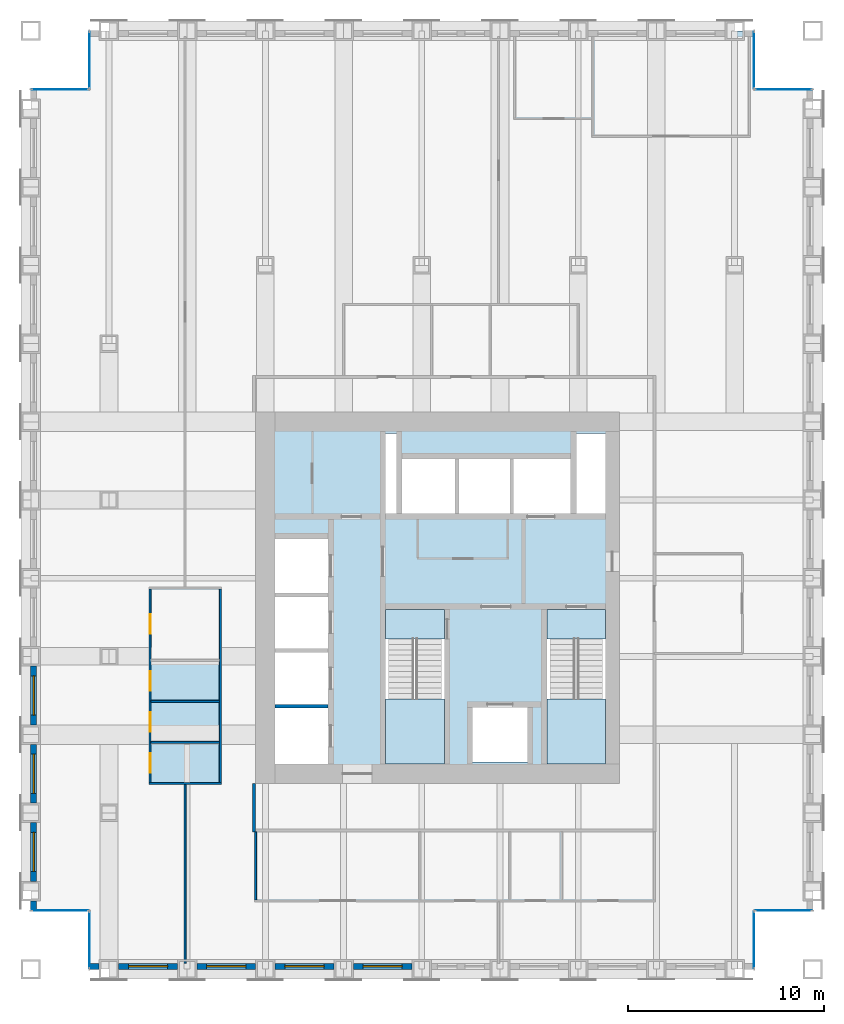
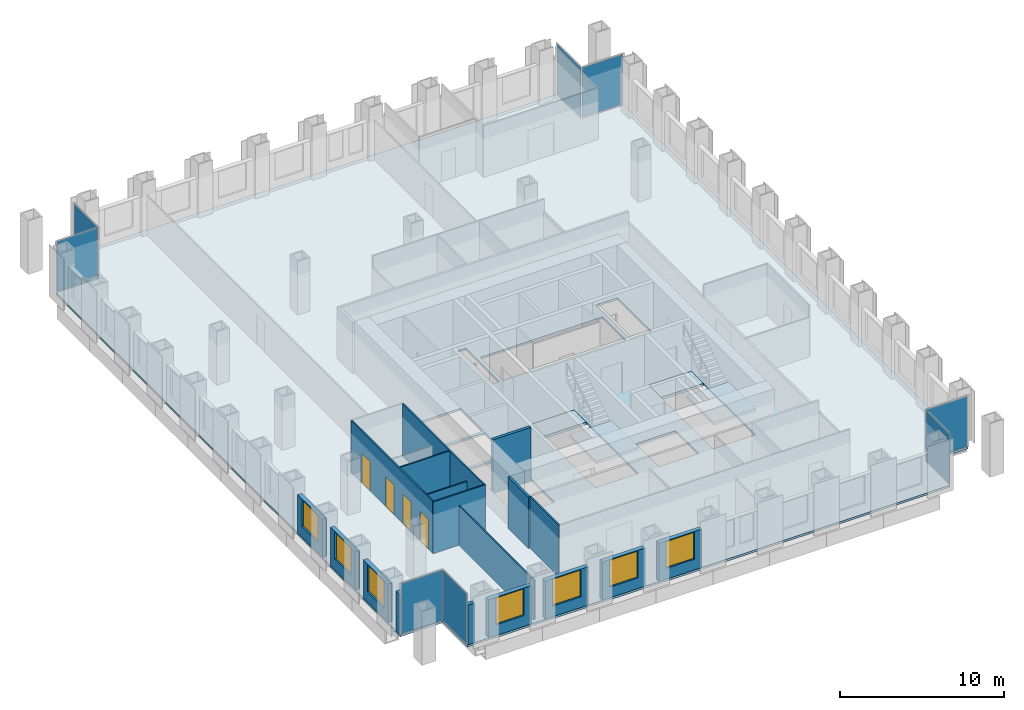
# One storey, part 8 of 13: 18 walls, 8 plates, 7 windows, 5 slabs, 4 doors, 11 openings, 10 elements without a shape of their own.
"""IFC4 building model written with IfcOpenShell, lengths in metres."""

from ifc_helpers import new_model, si_unit, direction, frame, frame_2d, origin, origin_2d, place, context, subcontext, project, spatial, polyline, rectangle, outline, extrude, material, layer, layer_set, type_object, element, fill, aggregate, save


model = new_model("IFC4")

# Units and contexts
model_context = context("Model", 3, precision=1e-05, world=origin(), true_north=direction((0.0, 1.0)))
body_context = subcontext(model_context, "Body", "Model", "MODEL_VIEW")
ifc_project = project(units=[si_unit("LENGTHUNIT", "METRE"), si_unit("AREAUNIT", "SQUARE_METRE"), si_unit("VOLUMEUNIT", "CUBIC_METRE"), si_unit("PLANEANGLEUNIT", "RADIAN"), si_unit("MASSUNIT", "GRAM", prefix="KILO")], contexts=[model_context])

# Site, building, storey
site_placement = place(None, origin())
site = spatial("IfcSite", under=ifc_project, at=site_placement, CompositionType="ELEMENT")
building_placement = place(site_placement, origin())
building = spatial("IfcBuilding", under=site, at=building_placement, Name="Rimbunsela Tower", CompositionType="ELEMENT")
storey_placement = place(building_placement, frame((0.0, 0.0, 187.800048828125)))
storey = spatial("IfcBuildingStorey", under=building, at=storey_placement, Name="L45", CompositionType="ELEMENT", Elevation=187.800048828125)

# Slab
ifc_material_1 = material(Name="Concrete fc' 35 MPa", Category="concrete")
ifc_layer_1 = layer(ifc_material_1, 0.14990234375)
ifc_layer_set_1 = layer_set([ifc_layer_1], Name="Floor slab 150")
slab_type_1 = type_object("IfcSlabType", Name="Floor slab 150", PredefinedType="FLOOR", material=ifc_layer_set_1)
slab_1_placement = place(storey_placement, frame((0.0, 0.0, -0.150146484375)))
element("IfcSlab", 1, at=slab_1_placement, inside=storey, type_object=slab_type_1, Name="Floor slab L45", PredefinedType="FLOOR", context=body_context, shape_type="SweptSolid", body=[
    extrude(outline(polyline([(9.0, 8.0), (43.0, 8.0), (43.0, 11.0), (46.0, 11.0), (46.0, 53.0), (43.0, 53.0), (43.0, 56.0), (9.0, 56.0), (9.0, 53.0), (6.0, 53.0), (6.0, 11.0), (9.0, 11.0), (9.0, 8.0)]), holes=[polyline([(21.199951171875, 21.35009765625), (18.5, 21.35009765625), (18.5, 18.5), (21.199951171875, 18.5), (21.199951171875, 21.35009765625)]), polyline([(21.199951171875, 21.550048828125), (21.199951171875, 24.199951171875), (18.5, 24.199951171875), (18.5, 21.550048828125), (21.199951171875, 21.550048828125)]), polyline([(21.199951171875, 27.050048828125), (18.5, 27.050048828125), (18.5, 24.39990234375), (21.199951171875, 24.39990234375), (21.199951171875, 27.050048828125)]), polyline([(21.199951171875, 27.25), (21.199951171875, 30.0), (18.5, 30.0), (18.5, 27.25), (21.199951171875, 27.25)]), polyline([(27.14990234375, 18.60009765625), (27.14990234375, 26.39990234375), (24.14990234375, 26.39990234375), (24.14990234375, 18.60009765625), (27.14990234375, 18.60009765625)]), polyline([(24.699951171875, 31.300048828125), (24.699951171875, 35.39990234375), (24.14990234375, 35.39990234375), (24.14990234375, 31.300048828125), (24.699951171875, 31.300048828125)]), polyline([(25.0, 34.10009765625), (25.0, 31.300048828125), (33.60009765625, 31.300048828125), (33.60009765625, 34.10009765625), (25.0, 34.10009765625)]), polyline([(31.39990234375, 21.39990234375), (28.60009765625, 21.39990234375), (28.60009765625, 18.60009765625), (31.39990234375, 18.60009765625), (31.39990234375, 21.39990234375)]), polyline([(35.39990234375, 18.60009765625), (35.39990234375, 26.39990234375), (32.39990234375, 26.39990234375), (32.39990234375, 18.60009765625), (35.39990234375, 18.60009765625)]), polyline([(35.39990234375, 31.300048828125), (35.39990234375, 35.39990234375), (33.89990234375, 35.39990234375), (33.89990234375, 31.300048828125), (35.39990234375, 31.300048828125)])]), origin(), (0.0, 0.0, 1.0), 0.150146484375),
])

# Curtain wall, plate
ifc_material_2 = material(Name="Aluminium curtain wall", Category="aluminium")
curtain_wall_type = type_object("IfcCurtainWallType", Name="Corner glazing", PredefinedType="USERDEFINED", material=ifc_material_2)
curtain_wall_1_placement = place(storey_placement, origin())
curtain_wall_1 = element("IfcCurtainWall", 2, at=curtain_wall_1_placement, inside=storey, type_object=curtain_wall_type, Name="Corner glazing L45", ObjectType="CORNER GLAZING", PredefinedType="USERDEFINED")
ifc_material_3 = material(Name="Clear double glazing", Category="glass")
ifc_layer_2 = layer(ifc_material_3, 0.028076171875)
ifc_layer_set_2 = layer_set([ifc_layer_2], Name="Glazed panel clear")
plate_type = type_object("IfcPlateType", Name="Glazed panel clear", PredefinedType="CURTAIN_PANEL", material=ifc_layer_set_2)
plate_1_placement = place(storey_placement, frame((43.0, 9.5, 0.06005859375), z_axis=(0.0, 0.0, 1.0), x_axis=(0.0, 1.0, 0.0)))
plate_1 = element("IfcPlate", 3, at=plate_1_placement, type_object=plate_type, Name="CW5 panel 1.1", PredefinedType="CURTAIN_PANEL", context=body_context, shape_type="SweptSolid", body=[
    extrude(rectangle(XDim=2.8798828125, YDim=0.028076171875, at=origin_2d()), origin(), (0.0, 0.0, 1.0), 3.72998046875),
])
aggregate(curtain_wall_1, [plate_1])

curtain_wall_2_placement = place(storey_placement, origin())
curtain_wall_2 = element("IfcCurtainWall", 4, at=curtain_wall_2_placement, inside=storey, type_object=curtain_wall_type, Name="Corner glazing L45", ObjectType="CORNER GLAZING", PredefinedType="USERDEFINED")
plate_2_placement = place(storey_placement, frame((44.5, 11.0, 0.06005859375), z_axis=(0.0, 0.0, 1.0), x_axis=(1.0, 0.0, 0.0)))
plate_2 = element("IfcPlate", 5, at=plate_2_placement, type_object=plate_type, Name="CW5 panel 1.1", PredefinedType="CURTAIN_PANEL", context=body_context, shape_type="SweptSolid", body=[
    extrude(rectangle(XDim=2.8798828125, YDim=0.028076171875, at=origin_2d()), origin(), (0.0, 0.0, 1.0), 3.72998046875),
])
aggregate(curtain_wall_2, [plate_2])

curtain_wall_3_placement = place(storey_placement, origin())
curtain_wall_3 = element("IfcCurtainWall", 6, at=curtain_wall_3_placement, inside=storey, type_object=curtain_wall_type, Name="Corner glazing L45", ObjectType="CORNER GLAZING", PredefinedType="USERDEFINED")
plate_3_placement = place(storey_placement, frame((44.5, 53.0, 0.06005859375), z_axis=(0.0, 0.0, 1.0), x_axis=(-1.0, 0.0, 0.0)))
plate_3 = element("IfcPlate", 7, at=plate_3_placement, type_object=plate_type, Name="CW5 panel 1.1", PredefinedType="CURTAIN_PANEL", context=body_context, shape_type="SweptSolid", body=[
    extrude(rectangle(XDim=2.8798828125, YDim=0.028076171875, at=origin_2d()), origin(), (0.0, 0.0, 1.0), 3.72998046875),
])
aggregate(curtain_wall_3, [plate_3])

curtain_wall_4_placement = place(storey_placement, origin())
curtain_wall_4 = element("IfcCurtainWall", 8, at=curtain_wall_4_placement, inside=storey, type_object=curtain_wall_type, Name="Corner glazing L45", ObjectType="CORNER GLAZING", PredefinedType="USERDEFINED")
plate_4_placement = place(storey_placement, frame((43.0, 54.5, 0.06005859375), z_axis=(0.0, 0.0, 1.0), x_axis=(0.0, 1.0, 0.0)))
plate_4 = element("IfcPlate", 9, at=plate_4_placement, type_object=plate_type, Name="CW5 panel 1.1", PredefinedType="CURTAIN_PANEL", context=body_context, shape_type="SweptSolid", body=[
    extrude(rectangle(XDim=2.8798828125, YDim=0.028076171875, at=origin_2d()), origin(), (0.0, 0.0, 1.0), 3.72998046875),
])
aggregate(curtain_wall_4, [plate_4])

curtain_wall_5_placement = place(storey_placement, origin())
curtain_wall_5 = element("IfcCurtainWall", 10, at=curtain_wall_5_placement, inside=storey, type_object=curtain_wall_type, Name="Corner glazing L45", ObjectType="CORNER GLAZING", PredefinedType="USERDEFINED")
plate_5_placement = place(storey_placement, frame((9.0, 54.5, 0.06005859375), z_axis=(0.0, 0.0, 1.0), x_axis=(0.0, -1.0, 0.0)))
plate_5 = element("IfcPlate", 11, at=plate_5_placement, type_object=plate_type, Name="CW5 panel 1.1", PredefinedType="CURTAIN_PANEL", context=body_context, shape_type="SweptSolid", body=[
    extrude(rectangle(XDim=2.8798828125, YDim=0.028076171875, at=origin_2d()), origin(), (0.0, 0.0, 1.0), 3.72998046875),
])
aggregate(curtain_wall_5, [plate_5])

curtain_wall_6_placement = place(storey_placement, origin())
curtain_wall_6 = element("IfcCurtainWall", 12, at=curtain_wall_6_placement, inside=storey, type_object=curtain_wall_type, Name="Corner glazing L45", ObjectType="CORNER GLAZING", PredefinedType="USERDEFINED")
plate_6_placement = place(storey_placement, frame((7.5, 53.0, 0.06005859375), z_axis=(0.0, 0.0, 1.0), x_axis=(-1.0, 0.0, 0.0)))
plate_6 = element("IfcPlate", 13, at=plate_6_placement, type_object=plate_type, Name="CW5 panel 1.1", PredefinedType="CURTAIN_PANEL", context=body_context, shape_type="SweptSolid", body=[
    extrude(rectangle(XDim=2.8798828125, YDim=0.028076171875, at=origin_2d()), origin(), (0.0, 0.0, 1.0), 3.72998046875),
])
aggregate(curtain_wall_6, [plate_6])

curtain_wall_7_placement = place(storey_placement, origin())
curtain_wall_7 = element("IfcCurtainWall", 14, at=curtain_wall_7_placement, inside=storey, type_object=curtain_wall_type, Name="Corner glazing L45", ObjectType="CORNER GLAZING", PredefinedType="USERDEFINED")
plate_7_placement = place(storey_placement, frame((7.5, 11.0, 0.06005859375), z_axis=(0.0, 0.0, 1.0), x_axis=(1.0, 0.0, 0.0)))
plate_7 = element("IfcPlate", 15, at=plate_7_placement, type_object=plate_type, Name="CW5 panel 1.1", PredefinedType="CURTAIN_PANEL", context=body_context, shape_type="SweptSolid", body=[
    extrude(rectangle(XDim=2.8798828125, YDim=0.028076171875, at=origin_2d()), origin(), (0.0, 0.0, 1.0), 3.72998046875),
])
aggregate(curtain_wall_7, [plate_7])

curtain_wall_8_placement = place(storey_placement, origin())
curtain_wall_8 = element("IfcCurtainWall", 16, at=curtain_wall_8_placement, inside=storey, type_object=curtain_wall_type, Name="Corner glazing L45", ObjectType="CORNER GLAZING", PredefinedType="USERDEFINED")
plate_8_placement = place(storey_placement, frame((9.0, 9.5, 0.06005859375), z_axis=(0.0, 0.0, 1.0), x_axis=(0.0, -1.0, 0.0)))
plate_8 = element("IfcPlate", 17, at=plate_8_placement, type_object=plate_type, Name="CW5 panel 1.1", PredefinedType="CURTAIN_PANEL", context=body_context, shape_type="SweptSolid", body=[
    extrude(rectangle(XDim=2.8798828125, YDim=0.028076171875, at=origin_2d()), origin(), (0.0, 0.0, 1.0), 3.72998046875),
])
aggregate(curtain_wall_8, [plate_8])

# Stair, slabs
ifc_material_4 = material(Name="Concrete fc' 35 MPa", Category="concrete")
stair_type = type_object("IfcStairType", Name="Exit stair 24 risers", PredefinedType="HALF_TURN_STAIR", material=ifc_material_4)
stair_1_placement = place(storey_placement, origin())
stair_1 = element("IfcStair", 18, at=stair_1_placement, inside=storey, type_object=stair_type, Name="Exit stair A L45", PredefinedType="HALF_TURN_STAIR")
ifc_material_5 = material(Name="Concrete fc' 35 MPa", Category="concrete")
ifc_layer_3 = layer(ifc_material_5, 0.199951171875)
ifc_layer_set_3 = layer_set([ifc_layer_3], Name="Stair landing 200")
slab_type_2 = type_object("IfcSlabType", Name="Stair landing 200", PredefinedType="LANDING", material=ifc_layer_set_3)
slab_2_placement = place(storey_placement, frame((0.0, 0.0, -0.199951171875)))
slab_2 = element("IfcSlab", 19, at=slab_2_placement, type_object=slab_type_2, Name="ST-A landing 1", PredefinedType="LANDING", context=body_context, shape_type="SweptSolid", body=[
    extrude(outline(polyline([(24.14990234375, 24.89990234375), (27.14990234375, 24.89990234375), (27.14990234375, 26.39990234375), (24.14990234375, 26.39990234375), (24.14990234375, 24.89990234375)])), origin(), (0.0, 0.0, 1.0), 0.199951171875),
])
slab_3_placement = place(storey_placement, frame((0.0, 0.0, 1.800048828125)))
slab_3 = element("IfcSlab", 20, at=slab_3_placement, type_object=slab_type_2, Name="ST-A landing 2", PredefinedType="LANDING", context=body_context, shape_type="SweptSolid", body=[
    extrude(outline(polyline([(24.14990234375, 18.5), (27.14990234375, 18.5), (27.14990234375, 21.820068359375), (24.14990234375, 21.820068359375), (24.14990234375, 18.5)])), origin(), (0.0, 0.0, 1.0), 0.199951171875),
])
aggregate(stair_1, [slab_2, slab_3])

stair_2_placement = place(storey_placement, origin())
stair_2 = element("IfcStair", 21, at=stair_2_placement, inside=storey, type_object=stair_type, Name="Exit stair B L45", PredefinedType="HALF_TURN_STAIR")
slab_4_placement = place(storey_placement, frame((0.0, 0.0, -0.199951171875)))
slab_4 = element("IfcSlab", 22, at=slab_4_placement, type_object=slab_type_2, Name="ST-B landing 1", PredefinedType="LANDING", context=body_context, shape_type="SweptSolid", body=[
    extrude(outline(polyline([(32.39990234375, 24.89990234375), (35.39990234375, 24.89990234375), (35.39990234375, 26.39990234375), (32.39990234375, 26.39990234375), (32.39990234375, 24.89990234375)])), origin(), (0.0, 0.0, 1.0), 0.199951171875),
])
slab_5_placement = place(storey_placement, frame((0.0, 0.0, 1.800048828125)))
slab_5 = element("IfcSlab", 23, at=slab_5_placement, type_object=slab_type_2, Name="ST-B landing 2", PredefinedType="LANDING", context=body_context, shape_type="SweptSolid", body=[
    extrude(outline(polyline([(32.39990234375, 18.5), (35.39990234375, 18.5), (35.39990234375, 21.820068359375), (32.39990234375, 21.820068359375), (32.39990234375, 18.5)])), origin(), (0.0, 0.0, 1.0), 0.199951171875),
])
aggregate(stair_2, [slab_4, slab_5])

# Walls
ifc_material_6 = material(Name="Concrete blockwork", Category="masonry")
ifc_layer_4 = layer(ifc_material_6, 0.199951171875)
ifc_layer_set_4 = layer_set([ifc_layer_4], Name="Lift shaft wall 200")
wall_type_1 = type_object("IfcWallType", Name="Lift shaft wall 200", PredefinedType="SOLIDWALL", material=ifc_layer_set_4)
wall_1_placement = place(storey_placement, frame((18.5, 21.449951171875, -0.150146484375), z_axis=(0.0, 0.0, 1.0), x_axis=(1.0, 0.0, 0.0)))
element("IfcWall", 24, at=wall_1_placement, inside=storey, type_object=wall_type_1, Name="Lift shaft separation", PredefinedType="SOLIDWALL", context=body_context, shape_type="SweptSolid", body=[
    extrude(rectangle(XDim=2.699951171875, YDim=0.199951171875, at=frame_2d((1.35009765625, 0.0))), origin(), (0.0, 0.0, 1.0), 4.0),
])
ifc_material_7 = material(Name="Gypsum board on steel studs", Category="steel")
ifc_layer_5 = layer(ifc_material_7, 0.10009765625)
ifc_layer_set_5 = layer_set([ifc_layer_5], Name="Office partition 100")
wall_type_2 = type_object("IfcWallType", Name="Office partition 100", PredefinedType="PARTITIONING", material=ifc_layer_set_5)
wall_2_placement = place(storey_placement, frame((12.050048828125, 17.5, 0.0), z_axis=(0.0, 0.0, 1.0), x_axis=(1.0, 0.0, 0.0)))
element("IfcWall", 25, at=wall_2_placement, inside=storey, type_object=wall_type_2, Name="Office partition", PredefinedType="PARTITIONING", context=body_context, shape_type="SweptSolid", body=[
    extrude(rectangle(XDim=3.699951171875, YDim=0.10009765625, at=frame_2d((1.85009765625, 0.0))), origin(), (0.0, 0.0, 1.0), 3.849853515625),
])
wall_3_placement = place(storey_placement, frame((12.14990234375, 19.60009765625, 0.0), z_axis=(0.0, 0.0, 1.0), x_axis=(1.0, 0.0, 0.0)))
element("IfcWall", 26, at=wall_3_placement, inside=storey, type_object=wall_type_2, Name="Office partition", PredefinedType="PARTITIONING", context=body_context, shape_type="SweptSolid", body=[
    extrude(rectangle(XDim=3.5, YDim=0.10009765625, at=frame_2d((1.75, 0.0))), origin(), (0.0, 0.0, 1.0), 2.849853515625),
])
wall_4_placement = place(storey_placement, frame((12.14990234375, 21.699951171875, 0.0), z_axis=(0.0, 0.0, 1.0), x_axis=(1.0, 0.0, 0.0)))
element("IfcWall", 27, at=wall_4_placement, inside=storey, type_object=wall_type_2, Name="Office partition", PredefinedType="PARTITIONING", context=body_context, shape_type="SweptSolid", body=[
    extrude(rectangle(XDim=3.5, YDim=0.10009765625, at=frame_2d((1.75, 0.0))), origin(), (0.0, 0.0, 1.0), 3.849853515625),
])

# Wall, openings, doors
wall_5_placement = place(storey_placement, frame((12.10009765625, 17.550048828125, 0.0), z_axis=(0.0, 0.0, 1.0), x_axis=(0.0, 1.0, 0.0)))
wall_5 = element("IfcWall", 28, at=wall_5_placement, inside=storey, type_object=wall_type_2, Name="Office partition", PredefinedType="PARTITIONING", context=body_context, shape_type="SweptSolid", body=[
    extrude(rectangle(XDim=9.89990234375, YDim=0.10009765625, at=frame_2d((4.949951171875, 0.0))), origin(), (0.0, 0.0, 1.0), 3.849853515625),
])
opening_1_placement = place(wall_5_placement, frame((0.5, 0.0, 0.0)))
opening_1 = element("IfcOpeningElement", 29, at=opening_1_placement, cuts=wall_5, Name="Opening D16", PredefinedType="OPENING", context=body_context, shape_type="SweptSolid", body=[
    extrude(rectangle(XDim=1.0, YDim=2.199951171875, at=frame_2d((0.5, 1.10009765625))), frame((0.0, 0.06005859375, 0.0), z_axis=(0.0, -1.0, 0.0), x_axis=(1.0, 0.0, 0.0)), (0.0, 0.0, 1.0), 0.1201171875),
])
opening_2_placement = place(wall_5_placement, frame((2.60009765625, 0.0, 0.0)))
opening_2 = element("IfcOpeningElement", 30, at=opening_2_placement, cuts=wall_5, Name="Opening D16", PredefinedType="OPENING", context=body_context, shape_type="SweptSolid", body=[
    extrude(rectangle(XDim=1.0, YDim=2.199951171875, at=frame_2d((0.5, 1.10009765625))), frame((0.0, 0.06005859375, 0.0), z_axis=(0.0, -1.0, 0.0), x_axis=(1.0, 0.0, 0.0)), (0.0, 0.0, 1.0), 0.1201171875),
])
opening_3_placement = place(wall_5_placement, frame((4.699951171875, 0.0, 0.0)))
opening_3 = element("IfcOpeningElement", 31, at=opening_3_placement, cuts=wall_5, Name="Opening D16", PredefinedType="OPENING", context=body_context, shape_type="SweptSolid", body=[
    extrude(rectangle(XDim=1.0, YDim=2.199951171875, at=frame_2d((0.5, 1.10009765625))), frame((0.0, 0.06005859375, 0.0), z_axis=(0.0, -1.0, 0.0), x_axis=(1.0, 0.0, 0.0)), (0.0, 0.0, 1.0), 0.1201171875),
])
opening_4_placement = place(wall_5_placement, frame((7.60009765625, 0.0, 0.0)))
opening_4 = element("IfcOpeningElement", 32, at=opening_4_placement, cuts=wall_5, Name="Opening D17", PredefinedType="OPENING", context=body_context, shape_type="SweptSolid", body=[
    extrude(rectangle(XDim=1.0, YDim=2.199951171875, at=frame_2d((0.5, 1.10009765625))), frame((0.0, 0.06005859375, 0.0), z_axis=(0.0, -1.0, 0.0), x_axis=(1.0, 0.0, 0.0)), (0.0, 0.0, 1.0), 0.1201171875),
])
ifc_material_8 = material(Name="Glazed aluminium door", Category="aluminium")
door_type_1 = type_object("IfcDoorType", Name="Meeting room door 1000 glazed", OperationType="SINGLE_SWING_RIGHT", PredefinedType="DOOR", material=ifc_material_8)
door_1_placement = place(opening_4_placement, origin())
door_1 = element("IfcDoor", 33, at=door_1_placement, inside=storey, type_object=door_type_1, Name="Meeting room door", OperationType="SINGLE_SWING_RIGHT", OverallHeight=2.199951171875, OverallWidth=1.0, PredefinedType="DOOR", context=body_context, shape_type="SweptSolid", body=[
    extrude(rectangle(XDim=1.0, YDim=2.199951171875, at=frame_2d((0.5, 1.10009765625))), frame((0.0, 0.02490234375, 0.0), z_axis=(0.0, -1.0, 0.0), x_axis=(1.0, 0.0, 0.0)), (0.0, 0.0, 1.0), 0.050048828125),
])
fill(opening_4, door_1)
ifc_material_9 = material(Name="Timber door", Category="wood")
door_type_2 = type_object("IfcDoorType", Name="Office door 1000", OperationType="SINGLE_SWING_LEFT", PredefinedType="DOOR", material=ifc_material_9)
door_2_placement = place(opening_1_placement, origin())
door_2 = element("IfcDoor", 34, at=door_2_placement, inside=storey, type_object=door_type_2, Name="Office door", OperationType="SINGLE_SWING_LEFT", OverallHeight=2.199951171875, OverallWidth=1.0, PredefinedType="DOOR", context=body_context, shape_type="SweptSolid", body=[
    extrude(rectangle(XDim=1.0, YDim=2.199951171875, at=frame_2d((0.5, 1.10009765625))), frame((0.0, 0.02490234375, 0.0), z_axis=(0.0, -1.0, 0.0), x_axis=(1.0, 0.0, 0.0)), (0.0, 0.0, 1.0), 0.050048828125),
])
fill(opening_1, door_2)
door_3_placement = place(opening_2_placement, origin())
door_3 = element("IfcDoor", 35, at=door_3_placement, inside=storey, type_object=door_type_2, Name="Office door", OperationType="SINGLE_SWING_LEFT", OverallHeight=2.199951171875, OverallWidth=1.0, PredefinedType="DOOR", context=body_context, shape_type="SweptSolid", body=[
    extrude(rectangle(XDim=1.0, YDim=2.199951171875, at=frame_2d((0.5, 1.10009765625))), frame((0.0, 0.02490234375, 0.0), z_axis=(0.0, -1.0, 0.0), x_axis=(1.0, 0.0, 0.0)), (0.0, 0.0, 1.0), 0.050048828125),
])
fill(opening_2, door_3)
door_4_placement = place(opening_3_placement, origin())
door_4 = element("IfcDoor", 36, at=door_4_placement, inside=storey, type_object=door_type_2, Name="Office door", OperationType="SINGLE_SWING_LEFT", OverallHeight=2.199951171875, OverallWidth=1.0, PredefinedType="DOOR", context=body_context, shape_type="SweptSolid", body=[
    extrude(rectangle(XDim=1.0, YDim=2.199951171875, at=frame_2d((0.5, 1.10009765625))), frame((0.0, 0.02490234375, 0.0), z_axis=(0.0, -1.0, 0.0), x_axis=(1.0, 0.0, 0.0)), (0.0, 0.0, 1.0), 0.050048828125),
])
fill(opening_3, door_4)

# Walls
wall_6_placement = place(storey_placement, frame((15.699951171875, 17.550048828125, 0.0), z_axis=(0.0, 0.0, 1.0), x_axis=(0.0, 1.0, 0.0)))
element("IfcWall", 37, at=wall_6_placement, inside=storey, type_object=wall_type_2, Name="Office partition", PredefinedType="PARTITIONING", context=body_context, shape_type="SweptSolid", body=[
    extrude(rectangle(XDim=9.89990234375, YDim=0.10009765625, at=frame_2d((4.949951171875, 0.0))), origin(), (0.0, 0.0, 1.0), 3.849853515625),
])
wall_7_placement = place(storey_placement, frame((17.5, 11.550048828125, 0.0), z_axis=(0.0, 0.0, 1.0), x_axis=(0.0, 1.0, 0.0)))
element("IfcWall", 38, at=wall_7_placement, inside=storey, type_object=wall_type_2, Name="Office partition", PredefinedType="PARTITIONING", context=body_context, shape_type="SweptSolid", body=[
    extrude(rectangle(XDim=3.474853515625, YDim=0.10009765625, at=frame_2d((1.7373046875, 0.0))), origin(), (0.0, 0.0, 1.0), 3.849853515625),
])
wall_8_placement = place(storey_placement, frame((13.89990234375, 8.300048828125, 0.0), z_axis=(0.0, 0.0, 1.0), x_axis=(0.0, 1.0, 0.0)))
element("IfcWall", 39, at=wall_8_placement, inside=storey, type_object=wall_type_2, Name="Office partition", PredefinedType="PARTITIONING", context=body_context, shape_type="SweptSolid", body=[
    extrude(rectangle(XDim=9.14990234375, YDim=0.10009765625, at=frame_2d((4.574951171875, 0.0))), origin(), (0.0, 0.0, 1.0), 2.949951171875),
])
ifc_material_10 = material(Name="Precast concrete fc' 35 MPa", Category="concrete")
ifc_layer_6 = layer(ifc_material_10, 0.300048828125)
ifc_layer_set_6 = layer_set([ifc_layer_6], Name="Precast concrete fc' 35 MPa")
wall_type_3 = type_object("IfcWallType", Name="Precast facade panel 300", PredefinedType="ELEMENTEDWALL", material=ifc_layer_set_6)
wall_9_placement = place(storey_placement, frame((9.030029296875, 8.14990234375, 0.0), z_axis=(0.0, 0.0, 1.0), x_axis=(1.0, 0.0, 0.0)))
element("IfcWall", 40, at=wall_9_placement, inside=storey, type_object=wall_type_3, Name="Facade panel S L45", PredefinedType="ELEMENTEDWALL", context=body_context, shape_type="SweptSolid", body=[
    extrude(rectangle(XDim=0.469970703125, YDim=0.300048828125, at=frame_2d((0.23486328125, 0.0))), origin(), (0.0, 0.0, 1.0), 2.949951171875),
])

# Wall, opening, window
wall_10_placement = place(storey_placement, frame((10.5, 8.14990234375, 0.0), z_axis=(0.0, 0.0, 1.0), x_axis=(1.0, 0.0, 0.0)))
wall_10 = element("IfcWall", 41, at=wall_10_placement, inside=storey, type_object=wall_type_3, Name="Facade panel S L45", PredefinedType="ELEMENTEDWALL", context=body_context, shape_type="SweptSolid", body=[
    extrude(rectangle(XDim=3.0, YDim=0.300048828125, at=frame_2d((1.5, 0.0))), origin(), (0.0, 0.0, 1.0), 2.849853515625),
])
opening_5_placement = place(wall_10_placement, frame((0.5, 0.0, 0.800048828125)))
opening_5 = element("IfcOpeningElement", 42, at=opening_5_placement, cuts=wall_10, Name="Opening W1", PredefinedType="OPENING", context=body_context, shape_type="SweptSolid", body=[
    extrude(rectangle(XDim=2.0, YDim=2.0, at=frame_2d((1.0, 1.0))), frame((0.0, 0.159912109375, 0.0), z_axis=(0.0, -1.0, 0.0), x_axis=(1.0, 0.0, 0.0)), (0.0, 0.0, 1.0), 0.320068359375),
])
ifc_material_11 = material(Name="Clear glass in aluminium frame", Category="aluminium")
window_type = type_object("IfcWindowType", Name="Window W1 2000x2000", PartitioningType="DOUBLE_PANEL_VERTICAL", PredefinedType="WINDOW", material=ifc_material_11)
window_1_placement = place(opening_5_placement, origin())
window_1 = element("IfcWindow", 43, at=window_1_placement, inside=storey, type_object=window_type, Name="Window L45", OverallHeight=2.0, OverallWidth=2.0, PartitioningType="SINGLE_PANEL", PredefinedType="WINDOW", context=body_context, shape_type="SweptSolid", body=[
    extrude(rectangle(XDim=2.0, YDim=2.0, at=frame_2d((1.0, 1.0))), frame((0.0, 0.030029296875, 0.0), z_axis=(0.0, -1.0, 0.0), x_axis=(1.0, 0.0, 0.0)), (0.0, 0.0, 1.0), 0.06005859375),
])
fill(opening_5, window_1)

wall_11_placement = place(storey_placement, frame((14.5, 8.14990234375, 0.0), z_axis=(0.0, 0.0, 1.0), x_axis=(1.0, 0.0, 0.0)))
wall_11 = element("IfcWall", 44, at=wall_11_placement, inside=storey, type_object=wall_type_3, Name="Facade panel S L45", PredefinedType="ELEMENTEDWALL", context=body_context, shape_type="SweptSolid", body=[
    extrude(rectangle(XDim=3.0, YDim=0.300048828125, at=frame_2d((1.5, 0.0))), origin(), (0.0, 0.0, 1.0), 2.849853515625),
])
opening_6_placement = place(wall_11_placement, frame((0.5, 0.0, 0.800048828125)))
opening_6 = element("IfcOpeningElement", 45, at=opening_6_placement, cuts=wall_11, Name="Opening W1", PredefinedType="OPENING", context=body_context, shape_type="SweptSolid", body=[
    extrude(rectangle(XDim=2.0, YDim=2.0, at=frame_2d((1.0, 1.0))), frame((0.0, 0.159912109375, 0.0), z_axis=(0.0, -1.0, 0.0), x_axis=(1.0, 0.0, 0.0)), (0.0, 0.0, 1.0), 0.320068359375),
])
window_2_placement = place(opening_6_placement, origin())
window_2 = element("IfcWindow", 46, at=window_2_placement, inside=storey, type_object=window_type, Name="Window L45", OverallHeight=2.0, OverallWidth=2.0, PartitioningType="SINGLE_PANEL", PredefinedType="WINDOW", context=body_context, shape_type="SweptSolid", body=[
    extrude(rectangle(XDim=2.0, YDim=2.0, at=frame_2d((1.0, 1.0))), frame((0.0, 0.030029296875, 0.0), z_axis=(0.0, -1.0, 0.0), x_axis=(1.0, 0.0, 0.0)), (0.0, 0.0, 1.0), 0.06005859375),
])
fill(opening_6, window_2)

wall_12_placement = place(storey_placement, frame((18.5, 8.14990234375, 0.0), z_axis=(0.0, 0.0, 1.0), x_axis=(1.0, 0.0, 0.0)))
wall_12 = element("IfcWall", 47, at=wall_12_placement, inside=storey, type_object=wall_type_3, Name="Facade panel S L45", PredefinedType="ELEMENTEDWALL", context=body_context, shape_type="SweptSolid", body=[
    extrude(rectangle(XDim=3.0, YDim=0.300048828125, at=frame_2d((1.5, 0.0))), origin(), (0.0, 0.0, 1.0), 2.849853515625),
])
opening_7_placement = place(wall_12_placement, frame((0.5, 0.0, 0.800048828125)))
opening_7 = element("IfcOpeningElement", 48, at=opening_7_placement, cuts=wall_12, Name="Opening W1", PredefinedType="OPENING", context=body_context, shape_type="SweptSolid", body=[
    extrude(rectangle(XDim=2.0, YDim=2.0, at=frame_2d((1.0, 1.0))), frame((0.0, 0.159912109375, 0.0), z_axis=(0.0, -1.0, 0.0), x_axis=(1.0, 0.0, 0.0)), (0.0, 0.0, 1.0), 0.320068359375),
])
window_3_placement = place(opening_7_placement, origin())
window_3 = element("IfcWindow", 49, at=window_3_placement, inside=storey, type_object=window_type, Name="Window L45", OverallHeight=2.0, OverallWidth=2.0, PartitioningType="SINGLE_PANEL", PredefinedType="WINDOW", context=body_context, shape_type="SweptSolid", body=[
    extrude(rectangle(XDim=2.0, YDim=2.0, at=frame_2d((1.0, 1.0))), frame((0.0, 0.030029296875, 0.0), z_axis=(0.0, -1.0, 0.0), x_axis=(1.0, 0.0, 0.0)), (0.0, 0.0, 1.0), 0.06005859375),
])
fill(opening_7, window_3)

wall_13_placement = place(storey_placement, frame((22.5, 8.14990234375, 0.0), z_axis=(0.0, 0.0, 1.0), x_axis=(1.0, 0.0, 0.0)))
wall_13 = element("IfcWall", 50, at=wall_13_placement, inside=storey, type_object=wall_type_3, Name="Facade panel S L45", PredefinedType="ELEMENTEDWALL", context=body_context, shape_type="SweptSolid", body=[
    extrude(rectangle(XDim=3.0, YDim=0.300048828125, at=frame_2d((1.5, 0.0))), origin(), (0.0, 0.0, 1.0), 2.849853515625),
])
opening_8_placement = place(wall_13_placement, frame((0.5, 0.0, 0.800048828125)))
opening_8 = element("IfcOpeningElement", 51, at=opening_8_placement, cuts=wall_13, Name="Opening W1", PredefinedType="OPENING", context=body_context, shape_type="SweptSolid", body=[
    extrude(rectangle(XDim=2.0, YDim=2.0, at=frame_2d((1.0, 1.0))), frame((0.0, 0.159912109375, 0.0), z_axis=(0.0, -1.0, 0.0), x_axis=(1.0, 0.0, 0.0)), (0.0, 0.0, 1.0), 0.320068359375),
])
window_4_placement = place(opening_8_placement, origin())
window_4 = element("IfcWindow", 52, at=window_4_placement, inside=storey, type_object=window_type, Name="Window L45", OverallHeight=2.0, OverallWidth=2.0, PartitioningType="SINGLE_PANEL", PredefinedType="WINDOW", context=body_context, shape_type="SweptSolid", body=[
    extrude(rectangle(XDim=2.0, YDim=2.0, at=frame_2d((1.0, 1.0))), frame((0.0, 0.030029296875, 0.0), z_axis=(0.0, -1.0, 0.0), x_axis=(1.0, 0.0, 0.0)), (0.0, 0.0, 1.0), 0.06005859375),
])
fill(opening_8, window_4)

# Wall
wall_14_placement = place(storey_placement, frame((6.14990234375, 11.5, 0.0), z_axis=(0.0, 0.0, 1.0), x_axis=(0.0, -1.0, 0.0)))
element("IfcWall", 53, at=wall_14_placement, inside=storey, type_object=wall_type_3, Name="Facade panel W L45", PredefinedType="ELEMENTEDWALL", context=body_context, shape_type="SweptSolid", body=[
    extrude(rectangle(XDim=0.469970703125, YDim=0.300048828125, at=frame_2d((0.23486328125, 0.0))), origin(), (0.0, 0.0, 1.0), 2.949951171875),
])

# Wall, opening, window
wall_15_placement = place(storey_placement, frame((6.14990234375, 15.5, 0.0), z_axis=(0.0, 0.0, 1.0), x_axis=(0.0, -1.0, 0.0)))
wall_15 = element("IfcWall", 54, at=wall_15_placement, inside=storey, type_object=wall_type_3, Name="Facade panel W L45", PredefinedType="ELEMENTEDWALL", context=body_context, shape_type="SweptSolid", body=[
    extrude(rectangle(XDim=3.0, YDim=0.300048828125, at=frame_2d((1.5, 0.0))), origin(), (0.0, 0.0, 1.0), 2.849853515625),
])
opening_9_placement = place(wall_15_placement, frame((0.5, 0.0, 0.800048828125)))
opening_9 = element("IfcOpeningElement", 55, at=opening_9_placement, cuts=wall_15, Name="Opening W1", PredefinedType="OPENING", context=body_context, shape_type="SweptSolid", body=[
    extrude(rectangle(XDim=2.0, YDim=2.0, at=frame_2d((1.0, 1.0))), frame((0.0, 0.159912109375, 0.0), z_axis=(0.0, -1.0, 0.0), x_axis=(1.0, 0.0, 0.0)), (0.0, 0.0, 1.0), 0.320068359375),
])
window_5_placement = place(opening_9_placement, origin())
window_5 = element("IfcWindow", 56, at=window_5_placement, inside=storey, type_object=window_type, Name="Window L45", OverallHeight=2.0, OverallWidth=2.0, PartitioningType="SINGLE_PANEL", PredefinedType="WINDOW", context=body_context, shape_type="SweptSolid", body=[
    extrude(rectangle(XDim=2.0, YDim=2.0, at=frame_2d((1.0, 1.0))), frame((0.0, 0.030029296875, 0.0), z_axis=(0.0, -1.0, 0.0), x_axis=(1.0, 0.0, 0.0)), (0.0, 0.0, 1.0), 0.06005859375),
])
fill(opening_9, window_5)

wall_16_placement = place(storey_placement, frame((6.14990234375, 19.5, 0.0), z_axis=(0.0, 0.0, 1.0), x_axis=(0.0, -1.0, 0.0)))
wall_16 = element("IfcWall", 57, at=wall_16_placement, inside=storey, type_object=wall_type_3, Name="Facade panel W L45", PredefinedType="ELEMENTEDWALL", context=body_context, shape_type="SweptSolid", body=[
    extrude(rectangle(XDim=3.0, YDim=0.300048828125, at=frame_2d((1.5, 0.0))), origin(), (0.0, 0.0, 1.0), 2.849853515625),
])
opening_10_placement = place(wall_16_placement, frame((0.5, 0.0, 0.800048828125)))
opening_10 = element("IfcOpeningElement", 58, at=opening_10_placement, cuts=wall_16, Name="Opening W1", PredefinedType="OPENING", context=body_context, shape_type="SweptSolid", body=[
    extrude(rectangle(XDim=2.0, YDim=2.0, at=frame_2d((1.0, 1.0))), frame((0.0, 0.159912109375, 0.0), z_axis=(0.0, -1.0, 0.0), x_axis=(1.0, 0.0, 0.0)), (0.0, 0.0, 1.0), 0.320068359375),
])
window_6_placement = place(opening_10_placement, origin())
window_6 = element("IfcWindow", 59, at=window_6_placement, inside=storey, type_object=window_type, Name="Window L45", OverallHeight=2.0, OverallWidth=2.0, PartitioningType="SINGLE_PANEL", PredefinedType="WINDOW", context=body_context, shape_type="SweptSolid", body=[
    extrude(rectangle(XDim=2.0, YDim=2.0, at=frame_2d((1.0, 1.0))), frame((0.0, 0.030029296875, 0.0), z_axis=(0.0, -1.0, 0.0), x_axis=(1.0, 0.0, 0.0)), (0.0, 0.0, 1.0), 0.06005859375),
])
fill(opening_10, window_6)

wall_17_placement = place(storey_placement, frame((6.14990234375, 23.5, 0.0), z_axis=(0.0, 0.0, 1.0), x_axis=(0.0, -1.0, 0.0)))
wall_17 = element("IfcWall", 60, at=wall_17_placement, inside=storey, type_object=wall_type_3, Name="Facade panel W L45", PredefinedType="ELEMENTEDWALL", context=body_context, shape_type="SweptSolid", body=[
    extrude(rectangle(XDim=3.0, YDim=0.300048828125, at=frame_2d((1.5, 0.0))), origin(), (0.0, 0.0, 1.0), 2.849853515625),
])
opening_11_placement = place(wall_17_placement, frame((0.5, 0.0, 0.800048828125)))
opening_11 = element("IfcOpeningElement", 61, at=opening_11_placement, cuts=wall_17, Name="Opening W1", PredefinedType="OPENING", context=body_context, shape_type="SweptSolid", body=[
    extrude(rectangle(XDim=2.0, YDim=2.0, at=frame_2d((1.0, 1.0))), frame((0.0, 0.159912109375, 0.0), z_axis=(0.0, -1.0, 0.0), x_axis=(1.0, 0.0, 0.0)), (0.0, 0.0, 1.0), 0.320068359375),
])
window_7_placement = place(opening_11_placement, origin())
window_7 = element("IfcWindow", 62, at=window_7_placement, inside=storey, type_object=window_type, Name="Window L45", OverallHeight=2.0, OverallWidth=2.0, PartitioningType="SINGLE_PANEL", PredefinedType="WINDOW", context=body_context, shape_type="SweptSolid", body=[
    extrude(rectangle(XDim=2.0, YDim=2.0, at=frame_2d((1.0, 1.0))), frame((0.0, 0.030029296875, 0.0), z_axis=(0.0, -1.0, 0.0), x_axis=(1.0, 0.0, 0.0)), (0.0, 0.0, 1.0), 0.06005859375),
])
fill(opening_11, window_7)

# Wall
ifc_material_12 = material(Name="Fire-rated gypsum board on steel studs, EI 60", Category="steel")
ifc_layer_7 = layer(ifc_material_12, 0.14990234375)
ifc_layer_set_7 = layer_set([ifc_layer_7], Name="Rated corridor wall 150")
wall_type_4 = type_object("IfcWallType", Name="Rated corridor wall 150", PredefinedType="PARTITIONING", material=ifc_layer_set_7)
wall_18_placement = place(storey_placement, frame((17.425048828125, 15.02490234375, 0.0), z_axis=(0.0, 0.0, 1.0), x_axis=(0.0, 1.0, 0.0)))
element("IfcWall", 63, at=wall_18_placement, inside=storey, type_object=wall_type_4, Name="Corridor end wall south", PredefinedType="PARTITIONING", context=body_context, shape_type="SweptSolid", body=[
    extrude(rectangle(XDim=2.47509765625, YDim=0.14990234375, at=frame_2d((1.237548828125, 0.0))), origin(), (0.0, 0.0, 1.0), 3.849853515625),
])

save(model, "model.ifc")
